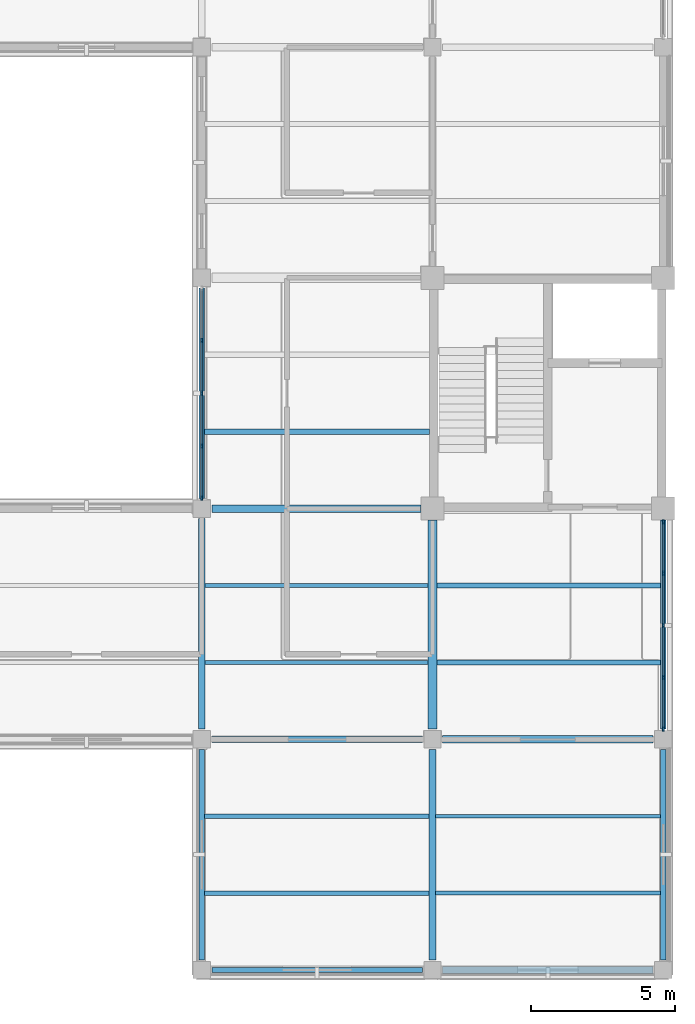
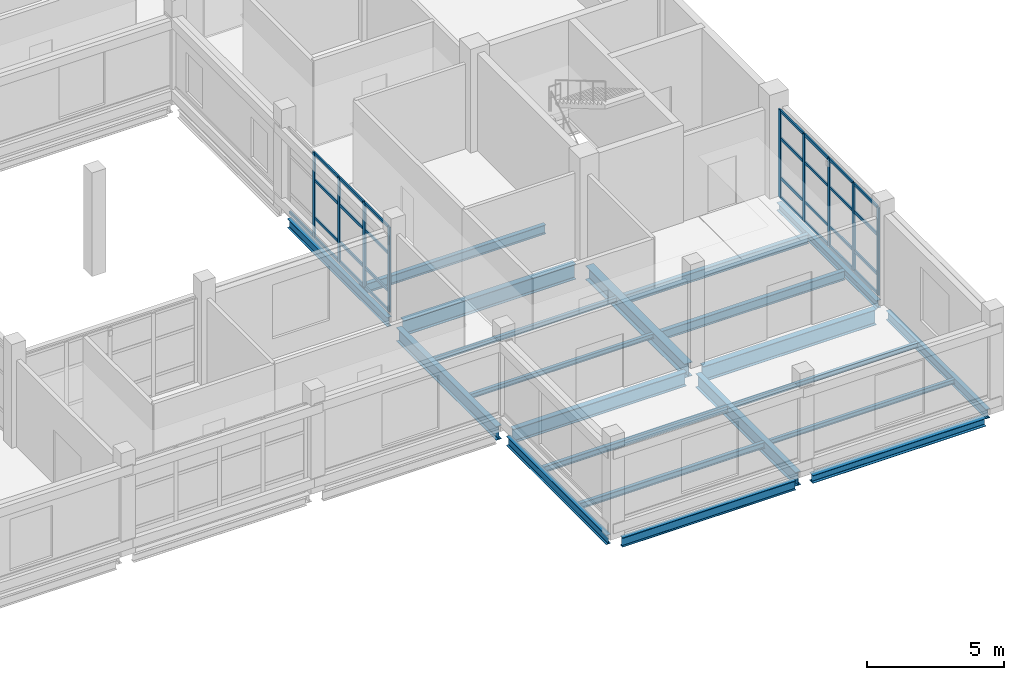
# One storey, part 44 of 121: 38 members, 21 beams, 2 elements without a shape of their own.
"""IFC4 building model written with IfcOpenShell, lengths in metres."""

from ifc_helpers import new_model, si_unit, derived_unit, direction, frame, origin, origin_2d, place, context, subcontext, project, spatial, rectangle, i_section, extrude, material, layer, layer_set, material_profile, profile_set, type_object, element, aggregate, save


model = new_model("IFC4")

# Units and contexts
model_context = context("Model", 3, precision=1e-05, world=origin(), true_north=direction((0.0, 1.0)))
body_context = subcontext(model_context, "Body", "Model", "MODEL_VIEW")
ifc_project = project(units=[si_unit("LENGTHUNIT", "METRE"), si_unit("AREAUNIT", "SQUARE_METRE"), si_unit("VOLUMEUNIT", "CUBIC_METRE"), si_unit("PLANEANGLEUNIT", "RADIAN"), si_unit("MASSUNIT", "GRAM", prefix="KILO"), derived_unit("THERMALTRANSMITTANCEUNIT", [(si_unit("MASSUNIT", "GRAM", prefix="KILO"), 1), (si_unit("TIMEUNIT", "SECOND"), -3), (si_unit("THERMODYNAMICTEMPERATUREUNIT", "KELVIN"), -1)])], contexts=[model_context])

# Site, building, storey
site_placement = place(None, origin())
site = spatial("IfcSite", under=ifc_project, at=site_placement, CompositionType="ELEMENT")
building_placement = place(site_placement, origin())
building = spatial("IfcBuilding", under=site, at=building_placement, Name="Veyamyaing Civic Hall", CompositionType="ELEMENT")
storey_placement = place(building_placement, frame((0.0, 0.0, 5.280029296875)))
storey = spatial("IfcBuildingStorey", under=building, at=storey_placement, Name="L01", CompositionType="ELEMENT", Elevation=5.280029296875)

# Beams
ifc_material_1 = material(Name="Steel ASTM A992", Category="steel")
ifc_material_profile_1 = material_profile(ifc_material_1, i_section(OverallWidth=0.22998046875, OverallDepth=0.616943359375, WebThickness=0.01318359375, FlangeThickness=0.022216796875, FilletRadius=0.012939453125, at=origin_2d()), Name="W610X140")
ifc_profile_set_1 = profile_set([ifc_material_profile_1], Name="Steel ASTM A992")
beam_type_1 = type_object("IfcBeamType", Name="B-05", PredefinedType="BEAM", material=ifc_profile_set_1)
beam_1_placement = place(storey_placement, frame((160.35009765625, 8.0, -0.553466796875), z_axis=(1.0, 0.0, 0.0), x_axis=(0.0, 1.0, 0.0)))
element("IfcBeam", 1, at=beam_1_placement, inside=storey, type_object=beam_type_1, Name="Girder B-05 L01 Grid B 21-22", PredefinedType="BEAM", context=body_context, shape_type="SweptSolid", body=[
    extrude(i_section(OverallWidth=0.22998046875, OverallDepth=0.616943359375, WebThickness=0.01318359375, FlangeThickness=0.022216796875, FilletRadius=0.012939453125, at=origin_2d()), origin(), (0.0, 0.0, 1.0), 7.2998046875),
])
ifc_material_profile_2 = material_profile(ifc_material_1, i_section(OverallWidth=0.22802734375, OverallDepth=0.60791015625, WebThickness=0.01123046875, FlangeThickness=0.017333984375, FilletRadius=0.012939453125, at=origin_2d()), Name="W610X113")
ifc_profile_set_2 = profile_set([ifc_material_profile_2], Name="Steel ASTM A992")
beam_type_2 = type_object("IfcBeamType", Name="B-06", PredefinedType="BEAM", material=ifc_profile_set_2)
for number, where, z_axis, x_axis, name in (
    (2, (160.0, 8.35009765625, -0.549072265625), (0.0, 1.0, 0.0), (-1.0, 0.0, 0.0), "Girder B-06 L01 Grid 21 B-C"),
    (3, (168.0, 0.35009765625, -0.549072265625), (0.0, 1.0, 0.0), (-1.0, 0.0, 0.0), "Girder B-06 L01 Grid 22 A-B"),
):
    element("IfcBeam", number, at=place(storey_placement, frame(where, z_axis=z_axis, x_axis=x_axis)), inside=storey, type_object=beam_type_2, Name=name, PredefinedType="BEAM", context=body_context, shape_type="SweptSolid", body=[
        extrude(i_section(OverallWidth=0.22802734375, OverallDepth=0.60791015625, WebThickness=0.01123046875, FlangeThickness=0.017333984375, FilletRadius=0.012939453125, at=origin_2d()), origin(), (0.0, 0.0, 1.0), 7.2998046875),
    ])
ifc_material_profile_3 = material_profile(ifc_material_1, i_section(OverallWidth=0.179931640625, OverallDepth=0.4130859375, WebThickness=0.009765625, FlangeThickness=0.01611328125, FilletRadius=0.010009765625, at=origin_2d()), Name="W410X74")
ifc_profile_set_3 = profile_set([ifc_material_profile_3], Name="Steel ASTM A992")
beam_type_3 = type_object("IfcBeamType", Name="B-10", PredefinedType="SPANDREL", material=ifc_profile_set_3)
for number, where, z_axis, x_axis, name in (
    (4, (160.0, 16.35009765625, -0.451416015625), (0.0, 1.0, 0.0), (-1.0, 0.0, 0.0), "Girder B-10 L01 Grid 21 C-D"),
    (5, (176.0, 0.35009765625, -0.451416015625), (0.0, 1.0, 0.0), (-1.0, 0.0, 0.0), "Girder B-10 L01 Grid 23 A-B"),
):
    element("IfcBeam", number, at=place(storey_placement, frame(where, z_axis=z_axis, x_axis=x_axis)), inside=storey, type_object=beam_type_3, Name=name, PredefinedType="SPANDREL", context=body_context, shape_type="SweptSolid", body=[
        extrude(i_section(OverallWidth=0.179931640625, OverallDepth=0.4130859375, WebThickness=0.009765625, FlangeThickness=0.01611328125, FilletRadius=0.010009765625, at=origin_2d()), origin(), (0.0, 0.0, 1.0), 7.2998046875),
    ])
ifc_material_profile_4 = material_profile(ifc_material_1, i_section(OverallWidth=0.2041015625, OverallDepth=0.35009765625, WebThickness=0.0078125, FlangeThickness=0.01513671875, FilletRadius=0.010009765625, at=origin_2d()), Name="W360X72")
ifc_profile_set_4 = profile_set([ifc_material_profile_4], Name="Steel ASTM A992")
beam_type_4 = type_object("IfcBeamType", Name="B-11", PredefinedType="SPANDREL", material=ifc_profile_set_4)
beam_2_placement = place(storey_placement, frame((176.0, 8.35009765625, -0.419921875), z_axis=(0.0, 1.0, 0.0), x_axis=(-1.0, 0.0, 0.0)))
element("IfcBeam", 6, at=beam_2_placement, inside=storey, type_object=beam_type_4, Name="Girder B-11 L01 Grid 23 B-C", PredefinedType="SPANDREL", context=body_context, shape_type="SweptSolid", body=[
    extrude(i_section(OverallWidth=0.2041015625, OverallDepth=0.35009765625, WebThickness=0.0078125, FlangeThickness=0.01513671875, FilletRadius=0.010009765625, at=origin_2d()), origin(), (0.0, 0.0, 1.0), 7.25),
])
ifc_material_profile_5 = material_profile(ifc_material_1, i_section(OverallWidth=0.25390625, OverallDepth=0.68408203125, WebThickness=0.012451171875, FlangeThickness=0.01904296875, FilletRadius=0.013916015625, at=origin_2d()), Name="W690X140")
ifc_profile_set_5 = profile_set([ifc_material_profile_5], Name="Steel ASTM A992")
beam_type_5 = type_object("IfcBeamType", Name="B-14", PredefinedType="BEAM", material=ifc_profile_set_5)
beam_3_placement = place(storey_placement, frame((168.35009765625, 8.0, -0.5869140625), z_axis=(1.0, 0.0, 0.0), x_axis=(0.0, 1.0, 0.0)))
element("IfcBeam", 7, at=beam_3_placement, inside=storey, type_object=beam_type_5, Name="Girder B-14 L01 Grid B 22-23", PredefinedType="BEAM", context=body_context, shape_type="SweptSolid", body=[
    extrude(i_section(OverallWidth=0.25390625, OverallDepth=0.68408203125, WebThickness=0.012451171875, FlangeThickness=0.01904296875, FilletRadius=0.013916015625, at=origin_2d()), origin(), (0.0, 0.0, 1.0), 7.2998046875),
])
beam_4_placement = place(storey_placement, frame((160.35009765625, 16.0, -0.5869140625), z_axis=(1.0, 0.0, 0.0), x_axis=(0.0, 1.0, 0.0)))
element("IfcBeam", 8, at=beam_4_placement, inside=storey, type_object=beam_type_5, Name="Girder B-14 L01 Grid C 21-22", PredefinedType="BEAM", context=body_context, shape_type="SweptSolid", body=[
    extrude(i_section(OverallWidth=0.25390625, OverallDepth=0.68408203125, WebThickness=0.012451171875, FlangeThickness=0.01904296875, FilletRadius=0.013916015625, at=origin_2d()), origin(), (0.0, 0.0, 1.0), 7.25),
])
ifc_material_profile_6 = material_profile(ifc_material_1, i_section(OverallWidth=0.324951171875, OverallDepth=0.615966796875, WebThickness=0.013916015625, FlangeThickness=0.021484375, FilletRadius=0.013916015625, at=origin_2d()), Name="W610X174")
ifc_profile_set_6 = profile_set([ifc_material_profile_6], Name="Steel ASTM A992")
beam_type_6 = type_object("IfcBeamType", Name="B-15", PredefinedType="BEAM", material=ifc_profile_set_6)
beam_5_placement = place(storey_placement, frame((168.0, 8.35009765625, -0.552978515625), z_axis=(0.0, 1.0, 0.0), x_axis=(-1.0, 0.0, 0.0)))
element("IfcBeam", 9, at=beam_5_placement, inside=storey, type_object=beam_type_6, Name="Girder B-15 L01 Grid 22 B-C", PredefinedType="BEAM", context=body_context, shape_type="SweptSolid", body=[
    extrude(i_section(OverallWidth=0.324951171875, OverallDepth=0.615966796875, WebThickness=0.013916015625, FlangeThickness=0.021484375, FilletRadius=0.013916015625, at=origin_2d()), origin(), (0.0, 0.0, 1.0), 7.25),
])
ifc_material_profile_7 = material_profile(ifc_material_1, i_section(OverallWidth=0.180908203125, OverallDepth=0.4169921875, WebThickness=0.010986328125, FlangeThickness=0.018310546875, FilletRadius=0.010009765625, at=origin_2d()), Name="W410X85")
ifc_profile_set_7 = profile_set([ifc_material_profile_7], Name="Steel ASTM A992")
beam_type_7 = type_object("IfcBeamType", Name="B-19", PredefinedType="SPANDREL", material=ifc_profile_set_7)
for number, where, z_axis, x_axis, name in (
    (10, (160.35009765625, 0.0, -0.45361328125), (1.0, 0.0, 0.0), (0.0, 1.0, 0.0), "Girder B-19 L01 Grid A 21-22"),
    (11, (160.0, 0.35009765625, -0.45361328125), (0.0, 1.0, 0.0), (-1.0, 0.0, 0.0), "Girder B-19 L01 Grid 21 A-B"),
):
    element("IfcBeam", number, at=place(storey_placement, frame(where, z_axis=z_axis, x_axis=x_axis)), inside=storey, type_object=beam_type_7, Name=name, PredefinedType="SPANDREL", context=body_context, shape_type="SweptSolid", body=[
        extrude(i_section(OverallWidth=0.180908203125, OverallDepth=0.4169921875, WebThickness=0.010986328125, FlangeThickness=0.018310546875, FilletRadius=0.010009765625, at=origin_2d()), origin(), (0.0, 0.0, 1.0), 7.2998046875),
    ])
ifc_material_profile_8 = material_profile(ifc_material_1, i_section(OverallWidth=0.25390625, OverallDepth=0.35302734375, WebThickness=0.009521484375, FlangeThickness=0.016357421875, FilletRadius=0.011962890625, at=origin_2d()), Name="W360X91")
ifc_profile_set_8 = profile_set([ifc_material_profile_8], Name="Steel ASTM A992")
beam_type_8 = type_object("IfcBeamType", Name="B-20", PredefinedType="SPANDREL", material=ifc_profile_set_8)
beam_6_placement = place(storey_placement, frame((168.35009765625, 0.0, -0.421630859375), z_axis=(1.0, 0.0, 0.0), x_axis=(0.0, 1.0, 0.0)))
element("IfcBeam", 12, at=beam_6_placement, inside=storey, type_object=beam_type_8, Name="Girder B-20 L01 Grid A 22-23", PredefinedType="SPANDREL", context=body_context, shape_type="SweptSolid", body=[
    extrude(i_section(OverallWidth=0.25390625, OverallDepth=0.35302734375, WebThickness=0.009521484375, FlangeThickness=0.016357421875, FilletRadius=0.011962890625, at=origin_2d()), origin(), (0.0, 0.0, 1.0), 7.2998046875),
])

# Curtain wall, members
ifc_material_2 = material(Name="Anodised aluminium 6063-T6", Category="aluminium")
ifc_layer = layer(ifc_material_2, 0.159912109375, Name="Anodised aluminium 6063-T6")
ifc_layer_set = layer_set([ifc_layer], Name="Anodised aluminium 6063-T6")
curtain_wall_type = type_object("IfcCurtainWallType", Name="CW-02", PredefinedType="NOTDEFINED", material=ifc_layer_set)
curtain_wall_1_placement = place(storey_placement, origin())
curtain_wall_1 = element("IfcCurtainWall", 13, at=curtain_wall_1_placement, inside=storey, type_object=curtain_wall_type, Name="Unitized curtain wall CW-02 L01 W 21.3", PredefinedType="NOTDEFINED")
ifc_material_profile_9 = material_profile(ifc_material_2, rectangle(XDim=0.06494140625, YDim=0.159912109375, at=origin_2d()), Name="ALU-MUL-65X160")
ifc_profile_set_9 = profile_set([ifc_material_profile_9], Name="Anodised aluminium 6063-T6")
member_type_1 = type_object("IfcMemberType", Name="CWM-01", PredefinedType="MULLION", material=ifc_profile_set_9)
member_1_placement = place(storey_placement, frame((160.0, 16.362548828125, 0.0), z_axis=(0.0, 0.0, 1.0), x_axis=(-1.0, 0.0, 0.0)))
member_1 = element("IfcMember", 14, at=member_1_placement, type_object=member_type_1, Name="CW-02 mullion 1", PredefinedType="MULLION", context=body_context, shape_type="SweptSolid", body=[
    extrude(rectangle(XDim=0.06494140625, YDim=0.159912109375, at=origin_2d()), origin(), (0.0, 0.0, 1.0), 3.7880859375),
])
member_2_placement = place(storey_placement, frame((160.0, 18.1650390625, 0.0), z_axis=(0.0, 0.0, 1.0), x_axis=(-1.0, 0.0, 0.0)))
member_2 = element("IfcMember", 15, at=member_2_placement, type_object=member_type_1, Name="CW-02 mullion 2", PredefinedType="MULLION", context=body_context, shape_type="SweptSolid", body=[
    extrude(rectangle(XDim=0.06494140625, YDim=0.159912109375, at=origin_2d()), origin(), (0.0, 0.0, 1.0), 3.7880859375),
])
member_3_placement = place(storey_placement, frame((160.0, 20.0, 0.0), z_axis=(0.0, 0.0, 1.0), x_axis=(-1.0, 0.0, 0.0)))
member_3 = element("IfcMember", 16, at=member_3_placement, type_object=member_type_1, Name="CW-02 mullion 3", PredefinedType="MULLION", context=body_context, shape_type="SweptSolid", body=[
    extrude(rectangle(XDim=0.06494140625, YDim=0.159912109375, at=origin_2d()), origin(), (0.0, 0.0, 1.0), 3.7880859375),
])
member_4_placement = place(storey_placement, frame((160.0, 21.8349609375, 0.0), z_axis=(0.0, 0.0, 1.0), x_axis=(-1.0, 0.0, 0.0)))
member_4 = element("IfcMember", 17, at=member_4_placement, type_object=member_type_1, Name="CW-02 mullion 4", PredefinedType="MULLION", context=body_context, shape_type="SweptSolid", body=[
    extrude(rectangle(XDim=0.06494140625, YDim=0.159912109375, at=origin_2d()), origin(), (0.0, 0.0, 1.0), 3.7880859375),
])

curtain_wall_2_placement = place(storey_placement, origin())
curtain_wall_2 = element("IfcCurtainWall", 18, at=curtain_wall_2_placement, inside=storey, type_object=curtain_wall_type, Name="Unitized curtain wall CW-02 L01 E 22.2", PredefinedType="NOTDEFINED")
member_5_placement = place(storey_placement, frame((176.0, 8.362548828125, 0.0), z_axis=(0.0, 0.0, 1.0), x_axis=(-1.0, 0.0, 0.0)))
member_5 = element("IfcMember", 19, at=member_5_placement, type_object=member_type_1, Name="CW-02 mullion 1", PredefinedType="MULLION", context=body_context, shape_type="SweptSolid", body=[
    extrude(rectangle(XDim=0.06494140625, YDim=0.159912109375, at=origin_2d()), origin(), (0.0, 0.0, 1.0), 3.909912109375),
])
member_6_placement = place(storey_placement, frame((176.0, 10.139892578125, 0.0), z_axis=(0.0, 0.0, 1.0), x_axis=(-1.0, 0.0, 0.0)))
member_6 = element("IfcMember", 20, at=member_6_placement, type_object=member_type_1, Name="CW-02 mullion 2", PredefinedType="MULLION", context=body_context, shape_type="SweptSolid", body=[
    extrude(rectangle(XDim=0.06494140625, YDim=0.159912109375, at=origin_2d()), origin(), (0.0, 0.0, 1.0), 3.909912109375),
])
member_7_placement = place(storey_placement, frame((176.0, 11.949951171875, 0.0), z_axis=(0.0, 0.0, 1.0), x_axis=(-1.0, 0.0, 0.0)))
member_7 = element("IfcMember", 21, at=member_7_placement, type_object=member_type_1, Name="CW-02 mullion 3", PredefinedType="MULLION", context=body_context, shape_type="SweptSolid", body=[
    extrude(rectangle(XDim=0.06494140625, YDim=0.159912109375, at=origin_2d()), origin(), (0.0, 0.0, 1.0), 3.909912109375),
])
member_8_placement = place(storey_placement, frame((176.0, 13.760009765625, 0.0), z_axis=(0.0, 0.0, 1.0), x_axis=(-1.0, 0.0, 0.0)))
member_8 = element("IfcMember", 22, at=member_8_placement, type_object=member_type_1, Name="CW-02 mullion 4", PredefinedType="MULLION", context=body_context, shape_type="SweptSolid", body=[
    extrude(rectangle(XDim=0.06494140625, YDim=0.159912109375, at=origin_2d()), origin(), (0.0, 0.0, 1.0), 3.909912109375),
])
member_9_placement = place(storey_placement, frame((176.0, 15.53759765625, 0.0), z_axis=(0.0, 0.0, 1.0), x_axis=(-1.0, 0.0, 0.0)))
member_9 = element("IfcMember", 23, at=member_9_placement, type_object=member_type_1, Name="CW-02 mullion 5", PredefinedType="MULLION", context=body_context, shape_type="SweptSolid", body=[
    extrude(rectangle(XDim=0.06494140625, YDim=0.159912109375, at=origin_2d()), origin(), (0.0, 0.0, 1.0), 3.909912109375),
])

# Member
ifc_material_profile_10 = material_profile(ifc_material_2, rectangle(XDim=0.06494140625, YDim=0.1201171875, at=origin_2d()), Name="ALU-TRN-65X120")
ifc_profile_set_10 = profile_set([ifc_material_profile_10], Name="Anodised aluminium 6063-T6")
member_type_2 = type_object("IfcMemberType", Name="CWT-01", PredefinedType="USERDEFINED", material=ifc_profile_set_10)
member_10_placement = place(storey_placement, frame((160.0, 16.39501953125, 0.032470703125), z_axis=(0.0, 1.0, 0.0), x_axis=(-1.0, 0.0, 0.0)))
member_10 = element("IfcMember", 24, at=member_10_placement, type_object=member_type_2, Name="CW-02 transom 1.1", ObjectType="TRANSOM", PredefinedType="USERDEFINED", context=body_context, shape_type="SweptSolid", body=[
    extrude(rectangle(XDim=0.06494140625, YDim=0.1201171875, at=origin_2d()), origin(), (0.0, 0.0, 1.0), 1.737548828125),
])

member_11_placement = place(storey_placement, frame((160.0, 16.39501953125, 0.89990234375), z_axis=(0.0, 1.0, 0.0), x_axis=(-1.0, 0.0, 0.0)))
member_11 = element("IfcMember", 25, at=member_11_placement, type_object=member_type_2, Name="CW-02 transom 1.2", ObjectType="TRANSOM", PredefinedType="USERDEFINED", context=body_context, shape_type="SweptSolid", body=[
    extrude(rectangle(XDim=0.06494140625, YDim=0.1201171875, at=origin_2d()), origin(), (0.0, 0.0, 1.0), 1.737548828125),
])

member_12_placement = place(storey_placement, frame((160.0, 16.39501953125, 2.57568359375), z_axis=(0.0, 1.0, 0.0), x_axis=(-1.0, 0.0, 0.0)))
member_12 = element("IfcMember", 26, at=member_12_placement, type_object=member_type_2, Name="CW-02 transom 1.3", ObjectType="TRANSOM", PredefinedType="USERDEFINED", context=body_context, shape_type="SweptSolid", body=[
    extrude(rectangle(XDim=0.06494140625, YDim=0.1201171875, at=origin_2d()), origin(), (0.0, 0.0, 1.0), 1.737548828125),
])

member_13_placement = place(storey_placement, frame((160.0, 16.39501953125, 3.75537109375), z_axis=(0.0, 1.0, 0.0), x_axis=(-1.0, 0.0, 0.0)))
member_13 = element("IfcMember", 27, at=member_13_placement, type_object=member_type_2, Name="CW-02 transom 1.4", ObjectType="TRANSOM", PredefinedType="USERDEFINED", context=body_context, shape_type="SweptSolid", body=[
    extrude(rectangle(XDim=0.06494140625, YDim=0.1201171875, at=origin_2d()), origin(), (0.0, 0.0, 1.0), 1.737548828125),
])

member_14_placement = place(storey_placement, frame((160.0, 18.197509765625, 0.032470703125), z_axis=(0.0, 1.0, 0.0), x_axis=(-1.0, 0.0, 0.0)))
member_14 = element("IfcMember", 28, at=member_14_placement, type_object=member_type_2, Name="CW-02 transom 2.1", ObjectType="TRANSOM", PredefinedType="USERDEFINED", context=body_context, shape_type="SweptSolid", body=[
    extrude(rectangle(XDim=0.06494140625, YDim=0.1201171875, at=origin_2d()), origin(), (0.0, 0.0, 1.0), 1.77001953125),
])

member_15_placement = place(storey_placement, frame((160.0, 18.197509765625, 0.89990234375), z_axis=(0.0, 1.0, 0.0), x_axis=(-1.0, 0.0, 0.0)))
member_15 = element("IfcMember", 29, at=member_15_placement, type_object=member_type_2, Name="CW-02 transom 2.2", ObjectType="TRANSOM", PredefinedType="USERDEFINED", context=body_context, shape_type="SweptSolid", body=[
    extrude(rectangle(XDim=0.06494140625, YDim=0.1201171875, at=origin_2d()), origin(), (0.0, 0.0, 1.0), 1.77001953125),
])

member_16_placement = place(storey_placement, frame((160.0, 18.197509765625, 2.57568359375), z_axis=(0.0, 1.0, 0.0), x_axis=(-1.0, 0.0, 0.0)))
member_16 = element("IfcMember", 30, at=member_16_placement, type_object=member_type_2, Name="CW-02 transom 2.3", ObjectType="TRANSOM", PredefinedType="USERDEFINED", context=body_context, shape_type="SweptSolid", body=[
    extrude(rectangle(XDim=0.06494140625, YDim=0.1201171875, at=origin_2d()), origin(), (0.0, 0.0, 1.0), 1.77001953125),
])

member_17_placement = place(storey_placement, frame((160.0, 18.197509765625, 3.75537109375), z_axis=(0.0, 1.0, 0.0), x_axis=(-1.0, 0.0, 0.0)))
member_17 = element("IfcMember", 31, at=member_17_placement, type_object=member_type_2, Name="CW-02 transom 2.4", ObjectType="TRANSOM", PredefinedType="USERDEFINED", context=body_context, shape_type="SweptSolid", body=[
    extrude(rectangle(XDim=0.06494140625, YDim=0.1201171875, at=origin_2d()), origin(), (0.0, 0.0, 1.0), 1.77001953125),
])

member_18_placement = place(storey_placement, frame((160.0, 20.032470703125, 0.032470703125), z_axis=(0.0, 1.0, 0.0), x_axis=(-1.0, 0.0, 0.0)))
member_18 = element("IfcMember", 32, at=member_18_placement, type_object=member_type_2, Name="CW-02 transom 3.1", ObjectType="TRANSOM", PredefinedType="USERDEFINED", context=body_context, shape_type="SweptSolid", body=[
    extrude(rectangle(XDim=0.06494140625, YDim=0.1201171875, at=origin_2d()), origin(), (0.0, 0.0, 1.0), 1.77001953125),
])

member_19_placement = place(storey_placement, frame((160.0, 20.032470703125, 0.89990234375), z_axis=(0.0, 1.0, 0.0), x_axis=(-1.0, 0.0, 0.0)))
member_19 = element("IfcMember", 33, at=member_19_placement, type_object=member_type_2, Name="CW-02 transom 3.2", ObjectType="TRANSOM", PredefinedType="USERDEFINED", context=body_context, shape_type="SweptSolid", body=[
    extrude(rectangle(XDim=0.06494140625, YDim=0.1201171875, at=origin_2d()), origin(), (0.0, 0.0, 1.0), 1.77001953125),
])

member_20_placement = place(storey_placement, frame((160.0, 20.032470703125, 2.57568359375), z_axis=(0.0, 1.0, 0.0), x_axis=(-1.0, 0.0, 0.0)))
member_20 = element("IfcMember", 34, at=member_20_placement, type_object=member_type_2, Name="CW-02 transom 3.3", ObjectType="TRANSOM", PredefinedType="USERDEFINED", context=body_context, shape_type="SweptSolid", body=[
    extrude(rectangle(XDim=0.06494140625, YDim=0.1201171875, at=origin_2d()), origin(), (0.0, 0.0, 1.0), 1.77001953125),
])

member_21_placement = place(storey_placement, frame((160.0, 20.032470703125, 3.75537109375), z_axis=(0.0, 1.0, 0.0), x_axis=(-1.0, 0.0, 0.0)))
member_21 = element("IfcMember", 35, at=member_21_placement, type_object=member_type_2, Name="CW-02 transom 3.4", ObjectType="TRANSOM", PredefinedType="USERDEFINED", context=body_context, shape_type="SweptSolid", body=[
    extrude(rectangle(XDim=0.06494140625, YDim=0.1201171875, at=origin_2d()), origin(), (0.0, 0.0, 1.0), 1.77001953125),
])

member_22_placement = place(storey_placement, frame((160.0, 21.867431640625, 0.032470703125), z_axis=(0.0, 1.0, 0.0), x_axis=(-1.0, 0.0, 0.0)))
member_22 = element("IfcMember", 36, at=member_22_placement, type_object=member_type_2, Name="CW-02 transom 4.1", ObjectType="TRANSOM", PredefinedType="USERDEFINED", context=body_context, shape_type="SweptSolid", body=[
    extrude(rectangle(XDim=0.06494140625, YDim=0.1201171875, at=origin_2d()), origin(), (0.0, 0.0, 1.0), 1.737548828125),
])

aggregate(curtain_wall_1, [member_1, member_2, member_3, member_4, member_10, member_11, member_12, member_13, member_14, member_15, member_16, member_17, member_18, member_19, member_20, member_21, member_22])

member_23_placement = place(storey_placement, frame((176.0, 8.39501953125, 0.032470703125), z_axis=(0.0, 1.0, 0.0), x_axis=(-1.0, 0.0, 0.0)))
member_23 = element("IfcMember", 37, at=member_23_placement, type_object=member_type_2, Name="CW-02 transom 1.1", ObjectType="TRANSOM", PredefinedType="USERDEFINED", context=body_context, shape_type="SweptSolid", body=[
    extrude(rectangle(XDim=0.06494140625, YDim=0.1201171875, at=origin_2d()), origin(), (0.0, 0.0, 1.0), 1.71240234375),
])

member_24_placement = place(storey_placement, frame((176.0, 8.39501953125, 0.89990234375), z_axis=(0.0, 1.0, 0.0), x_axis=(-1.0, 0.0, 0.0)))
member_24 = element("IfcMember", 38, at=member_24_placement, type_object=member_type_2, Name="CW-02 transom 1.2", ObjectType="TRANSOM", PredefinedType="USERDEFINED", context=body_context, shape_type="SweptSolid", body=[
    extrude(rectangle(XDim=0.06494140625, YDim=0.1201171875, at=origin_2d()), origin(), (0.0, 0.0, 1.0), 1.71240234375),
])

member_25_placement = place(storey_placement, frame((176.0, 8.39501953125, 2.65869140625), z_axis=(0.0, 1.0, 0.0), x_axis=(-1.0, 0.0, 0.0)))
member_25 = element("IfcMember", 39, at=member_25_placement, type_object=member_type_2, Name="CW-02 transom 1.3", ObjectType="TRANSOM", PredefinedType="USERDEFINED", context=body_context, shape_type="SweptSolid", body=[
    extrude(rectangle(XDim=0.06494140625, YDim=0.1201171875, at=origin_2d()), origin(), (0.0, 0.0, 1.0), 1.71240234375),
])

member_26_placement = place(storey_placement, frame((176.0, 8.39501953125, 3.87744140625), z_axis=(0.0, 1.0, 0.0), x_axis=(-1.0, 0.0, 0.0)))
member_26 = element("IfcMember", 40, at=member_26_placement, type_object=member_type_2, Name="CW-02 transom 1.4", ObjectType="TRANSOM", PredefinedType="USERDEFINED", context=body_context, shape_type="SweptSolid", body=[
    extrude(rectangle(XDim=0.06494140625, YDim=0.1201171875, at=origin_2d()), origin(), (0.0, 0.0, 1.0), 1.71240234375),
])

member_27_placement = place(storey_placement, frame((176.0, 10.172607421875, 0.032470703125), z_axis=(0.0, 1.0, 0.0), x_axis=(-1.0, 0.0, 0.0)))
member_27 = element("IfcMember", 41, at=member_27_placement, type_object=member_type_2, Name="CW-02 transom 2.1", ObjectType="TRANSOM", PredefinedType="USERDEFINED", context=body_context, shape_type="SweptSolid", body=[
    extrude(rectangle(XDim=0.06494140625, YDim=0.1201171875, at=origin_2d()), origin(), (0.0, 0.0, 1.0), 1.744873046875),
])

member_28_placement = place(storey_placement, frame((176.0, 10.172607421875, 0.89990234375), z_axis=(0.0, 1.0, 0.0), x_axis=(-1.0, 0.0, 0.0)))
member_28 = element("IfcMember", 42, at=member_28_placement, type_object=member_type_2, Name="CW-02 transom 2.2", ObjectType="TRANSOM", PredefinedType="USERDEFINED", context=body_context, shape_type="SweptSolid", body=[
    extrude(rectangle(XDim=0.06494140625, YDim=0.1201171875, at=origin_2d()), origin(), (0.0, 0.0, 1.0), 1.744873046875),
])

member_29_placement = place(storey_placement, frame((176.0, 10.172607421875, 2.65869140625), z_axis=(0.0, 1.0, 0.0), x_axis=(-1.0, 0.0, 0.0)))
member_29 = element("IfcMember", 43, at=member_29_placement, type_object=member_type_2, Name="CW-02 transom 2.3", ObjectType="TRANSOM", PredefinedType="USERDEFINED", context=body_context, shape_type="SweptSolid", body=[
    extrude(rectangle(XDim=0.06494140625, YDim=0.1201171875, at=origin_2d()), origin(), (0.0, 0.0, 1.0), 1.744873046875),
])

member_30_placement = place(storey_placement, frame((176.0, 10.172607421875, 3.87744140625), z_axis=(0.0, 1.0, 0.0), x_axis=(-1.0, 0.0, 0.0)))
member_30 = element("IfcMember", 44, at=member_30_placement, type_object=member_type_2, Name="CW-02 transom 2.4", ObjectType="TRANSOM", PredefinedType="USERDEFINED", context=body_context, shape_type="SweptSolid", body=[
    extrude(rectangle(XDim=0.06494140625, YDim=0.1201171875, at=origin_2d()), origin(), (0.0, 0.0, 1.0), 1.744873046875),
])

member_31_placement = place(storey_placement, frame((176.0, 11.982421875, 0.032470703125), z_axis=(0.0, 1.0, 0.0), x_axis=(-1.0, 0.0, 0.0)))
member_31 = element("IfcMember", 45, at=member_31_placement, type_object=member_type_2, Name="CW-02 transom 3.1", ObjectType="TRANSOM", PredefinedType="USERDEFINED", context=body_context, shape_type="SweptSolid", body=[
    extrude(rectangle(XDim=0.06494140625, YDim=0.1201171875, at=origin_2d()), origin(), (0.0, 0.0, 1.0), 1.7451171875),
])

member_32_placement = place(storey_placement, frame((176.0, 11.982421875, 0.89990234375), z_axis=(0.0, 1.0, 0.0), x_axis=(-1.0, 0.0, 0.0)))
member_32 = element("IfcMember", 46, at=member_32_placement, type_object=member_type_2, Name="CW-02 transom 3.2", ObjectType="TRANSOM", PredefinedType="USERDEFINED", context=body_context, shape_type="SweptSolid", body=[
    extrude(rectangle(XDim=0.06494140625, YDim=0.1201171875, at=origin_2d()), origin(), (0.0, 0.0, 1.0), 1.7451171875),
])

member_33_placement = place(storey_placement, frame((176.0, 11.982421875, 2.65869140625), z_axis=(0.0, 1.0, 0.0), x_axis=(-1.0, 0.0, 0.0)))
member_33 = element("IfcMember", 47, at=member_33_placement, type_object=member_type_2, Name="CW-02 transom 3.3", ObjectType="TRANSOM", PredefinedType="USERDEFINED", context=body_context, shape_type="SweptSolid", body=[
    extrude(rectangle(XDim=0.06494140625, YDim=0.1201171875, at=origin_2d()), origin(), (0.0, 0.0, 1.0), 1.7451171875),
])

member_34_placement = place(storey_placement, frame((176.0, 11.982421875, 3.87744140625), z_axis=(0.0, 1.0, 0.0), x_axis=(-1.0, 0.0, 0.0)))
member_34 = element("IfcMember", 48, at=member_34_placement, type_object=member_type_2, Name="CW-02 transom 3.4", ObjectType="TRANSOM", PredefinedType="USERDEFINED", context=body_context, shape_type="SweptSolid", body=[
    extrude(rectangle(XDim=0.06494140625, YDim=0.1201171875, at=origin_2d()), origin(), (0.0, 0.0, 1.0), 1.7451171875),
])

member_35_placement = place(storey_placement, frame((176.0, 13.79248046875, 0.032470703125), z_axis=(0.0, 1.0, 0.0), x_axis=(-1.0, 0.0, 0.0)))
member_35 = element("IfcMember", 49, at=member_35_placement, type_object=member_type_2, Name="CW-02 transom 4.1", ObjectType="TRANSOM", PredefinedType="USERDEFINED", context=body_context, shape_type="SweptSolid", body=[
    extrude(rectangle(XDim=0.06494140625, YDim=0.1201171875, at=origin_2d()), origin(), (0.0, 0.0, 1.0), 1.71240234375),
])

member_36_placement = place(storey_placement, frame((176.0, 13.79248046875, 0.89990234375), z_axis=(0.0, 1.0, 0.0), x_axis=(-1.0, 0.0, 0.0)))
member_36 = element("IfcMember", 50, at=member_36_placement, type_object=member_type_2, Name="CW-02 transom 4.2", ObjectType="TRANSOM", PredefinedType="USERDEFINED", context=body_context, shape_type="SweptSolid", body=[
    extrude(rectangle(XDim=0.06494140625, YDim=0.1201171875, at=origin_2d()), origin(), (0.0, 0.0, 1.0), 1.71240234375),
])

member_37_placement = place(storey_placement, frame((176.0, 13.79248046875, 2.65869140625), z_axis=(0.0, 1.0, 0.0), x_axis=(-1.0, 0.0, 0.0)))
member_37 = element("IfcMember", 51, at=member_37_placement, type_object=member_type_2, Name="CW-02 transom 4.3", ObjectType="TRANSOM", PredefinedType="USERDEFINED", context=body_context, shape_type="SweptSolid", body=[
    extrude(rectangle(XDim=0.06494140625, YDim=0.1201171875, at=origin_2d()), origin(), (0.0, 0.0, 1.0), 1.71240234375),
])

member_38_placement = place(storey_placement, frame((176.0, 13.79248046875, 3.87744140625), z_axis=(0.0, 1.0, 0.0), x_axis=(-1.0, 0.0, 0.0)))
member_38 = element("IfcMember", 52, at=member_38_placement, type_object=member_type_2, Name="CW-02 transom 4.4", ObjectType="TRANSOM", PredefinedType="USERDEFINED", context=body_context, shape_type="SweptSolid", body=[
    extrude(rectangle(XDim=0.06494140625, YDim=0.1201171875, at=origin_2d()), origin(), (0.0, 0.0, 1.0), 1.71240234375),
])

aggregate(curtain_wall_2, [member_5, member_6, member_7, member_8, member_9, member_23, member_24, member_25, member_26, member_27, member_28, member_29, member_30, member_31, member_32, member_33, member_34, member_35, member_36, member_37, member_38])

# Beams
ifc_material_profile_11 = material_profile(ifc_material_1, i_section(OverallWidth=0.177978515625, OverallDepth=0.406982421875, WebThickness=0.0078125, FlangeThickness=0.0126953125, FilletRadius=0.010009765625, at=origin_2d()), Name="W410X60")
ifc_profile_set_11 = profile_set([ifc_material_profile_11], Name="Steel ASTM A992")
beam_type_9 = type_object("IfcBeamType", Name="J-01", PredefinedType="JOIST", material=ifc_profile_set_11)
beam_7_placement = place(storey_placement, frame((160.087890625, 18.666748046875, -0.448486328125), z_axis=(1.0, 0.0, 0.0), x_axis=(0.0, 1.0, 0.0)))
element("IfcBeam", 53, at=beam_7_placement, inside=storey, type_object=beam_type_9, Name="Composite floor joist J-01 L01 21.3.1", PredefinedType="JOIST", context=body_context, shape_type="SweptSolid", body=[
    extrude(i_section(OverallWidth=0.177978515625, OverallDepth=0.406982421875, WebThickness=0.0078125, FlangeThickness=0.0126953125, FilletRadius=0.010009765625, at=origin_2d()), origin(), (0.0, 0.0, 1.0), 7.80712890625),
])
for number, where, z_axis, x_axis, name in (
    (54, (168.160400390625, 10.666748046875, -0.448486328125), (1.0, 0.0, 0.0), (0.0, 1.0, 0.0), "Composite floor joist J-01 L01 22.2.1"),
    (55, (168.160400390625, 13.333251953125, -0.448486328125), (1.0, 0.0, 0.0), (0.0, 1.0, 0.0), "Composite floor joist J-01 L01 22.2.2"),
):
    element("IfcBeam", number, at=place(storey_placement, frame(where, z_axis=z_axis, x_axis=x_axis)), inside=storey, type_object=beam_type_9, Name=name, PredefinedType="JOIST", context=body_context, shape_type="SweptSolid", body=[
        extrude(i_section(OverallWidth=0.177978515625, OverallDepth=0.406982421875, WebThickness=0.0078125, FlangeThickness=0.0126953125, FilletRadius=0.010009765625, at=origin_2d()), origin(), (0.0, 0.0, 1.0), 7.739501953125),
    ])
ifc_material_profile_12 = material_profile(ifc_material_1, i_section(OverallWidth=0.14794921875, OverallDepth=0.26611328125, WebThickness=0.007568359375, FlangeThickness=0.012939453125, FilletRadius=0.010009765625, at=origin_2d()), Name="W250X45")
ifc_profile_set_12 = profile_set([ifc_material_profile_12], Name="Steel ASTM A992")
beam_type_10 = type_object("IfcBeamType", Name="J-07", PredefinedType="JOIST", material=ifc_profile_set_12)
for number, where, z_axis, x_axis, name in (
    (56, (160.08837890625, 2.666748046875, -0.3779296875), (1.0, 0.0, 0.0), (0.0, 1.0, 0.0), "Composite floor joist J-07 L01 21.1.1"),
    (57, (160.08837890625, 5.333251953125, -0.3779296875), (1.0, 0.0, 0.0), (0.0, 1.0, 0.0), "Composite floor joist J-07 L01 21.1.2"),
):
    element("IfcBeam", number, at=place(storey_placement, frame(where, z_axis=z_axis, x_axis=x_axis)), inside=storey, type_object=beam_type_10, Name=name, PredefinedType="JOIST", context=body_context, shape_type="SweptSolid", body=[
        extrude(i_section(OverallWidth=0.14794921875, OverallDepth=0.26611328125, WebThickness=0.007568359375, FlangeThickness=0.012939453125, FilletRadius=0.010009765625, at=origin_2d()), origin(), (0.0, 0.0, 1.0), 7.799560546875),
    ])
ifc_material_profile_13 = material_profile(ifc_material_1, i_section(OverallWidth=0.133056640625, OverallDepth=0.20703125, WebThickness=0.005859375, FlangeThickness=0.00830078125, FilletRadius=0.010009765625, at=origin_2d()), Name="W200X27")
ifc_profile_set_13 = profile_set([ifc_material_profile_13], Name="Steel ASTM A992")
beam_type_11 = type_object("IfcBeamType", Name="J-08", PredefinedType="JOIST", material=ifc_profile_set_13)
for number, where, z_axis, x_axis, name in (
    (58, (160.112060546875, 10.666748046875, -0.3486328125), (1.0, 0.0, 0.0), (0.0, 1.0, 0.0), "Composite floor joist J-08 L01 21.2.1"),
    (59, (160.112060546875, 13.333251953125, -0.3486328125), (1.0, 0.0, 0.0), (0.0, 1.0, 0.0), "Composite floor joist J-08 L01 21.2.2"),
):
    element("IfcBeam", number, at=place(storey_placement, frame(where, z_axis=z_axis, x_axis=x_axis)), inside=storey, type_object=beam_type_11, Name=name, PredefinedType="JOIST", context=body_context, shape_type="SweptSolid", body=[
        extrude(i_section(OverallWidth=0.133056640625, OverallDepth=0.20703125, WebThickness=0.005859375, FlangeThickness=0.00830078125, FilletRadius=0.010009765625, at=origin_2d()), origin(), (0.0, 0.0, 1.0), 7.7275390625),
    ])
for number, where, z_axis, x_axis, name in (
    (60, (168.112060546875, 2.666748046875, -0.3486328125), (1.0, 0.0, 0.0), (0.0, 1.0, 0.0), "Composite floor joist J-08 L01 22.1.1"),
    (61, (168.112060546875, 5.333251953125, -0.3486328125), (1.0, 0.0, 0.0), (0.0, 1.0, 0.0), "Composite floor joist J-08 L01 22.1.2"),
):
    element("IfcBeam", number, at=place(storey_placement, frame(where, z_axis=z_axis, x_axis=x_axis)), inside=storey, type_object=beam_type_11, Name=name, PredefinedType="JOIST", context=body_context, shape_type="SweptSolid", body=[
        extrude(i_section(OverallWidth=0.133056640625, OverallDepth=0.20703125, WebThickness=0.005859375, FlangeThickness=0.00830078125, FilletRadius=0.010009765625, at=origin_2d()), origin(), (0.0, 0.0, 1.0), 7.800048828125),
    ])

save(model, "model.ifc")
